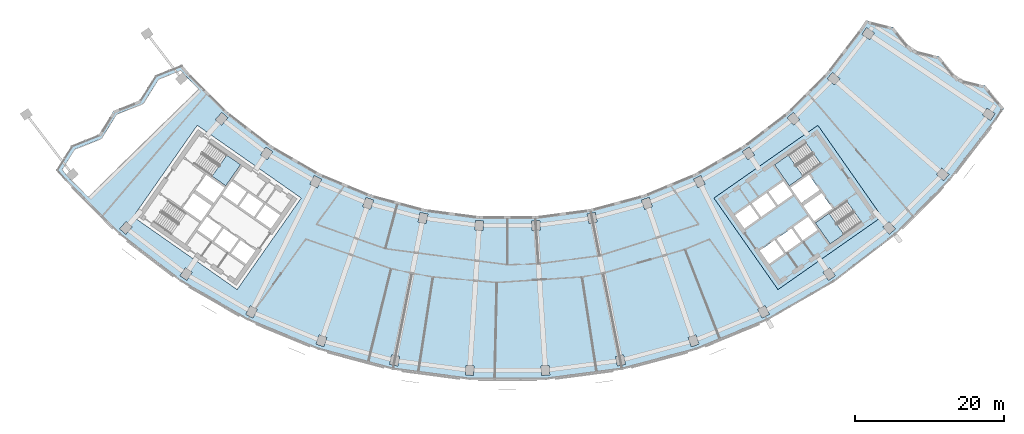
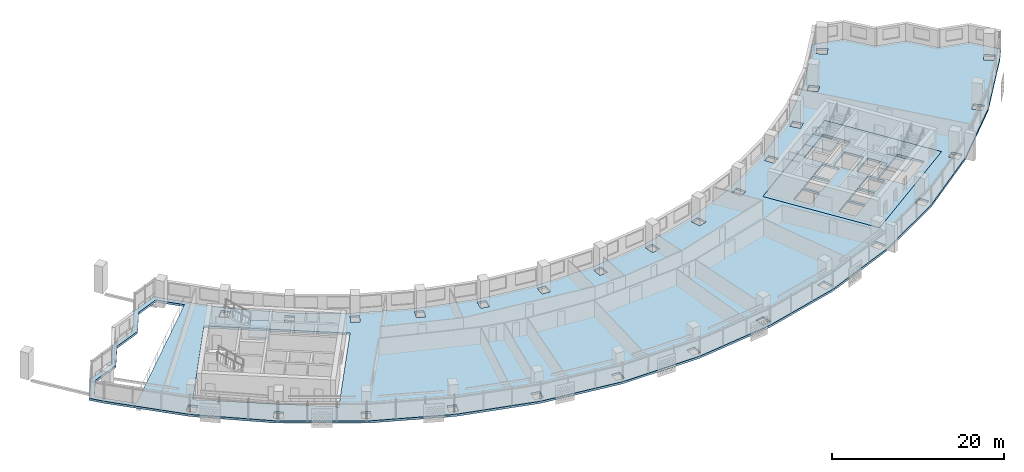
# One storey, part 2 of 27: 5 slabs, 3 elements without a shape of their own.
"""IFC4 building model written with IfcOpenShell, lengths in metres."""

from ifc_helpers import new_model, si_unit, direction, frame, origin, place, context, subcontext, project, spatial, polyline, outline, extrude, material, layer, layer_set, type_object, element, aggregate, save


model = new_model("IFC4")

# Units and contexts
model_context = context("Model", 3, precision=1e-05, world=origin(), true_north=direction((0.0, 1.0)))
body_context = subcontext(model_context, "Body", "Model", "MODEL_VIEW")
ifc_project = project(units=[si_unit("LENGTHUNIT", "METRE"), si_unit("AREAUNIT", "SQUARE_METRE"), si_unit("VOLUMEUNIT", "CUBIC_METRE"), si_unit("PLANEANGLEUNIT", "RADIAN"), si_unit("MASSUNIT", "GRAM", prefix="KILO")], contexts=[model_context])

# Site, building, storey
site_placement = place(None, origin())
site = spatial("IfcSite", under=ifc_project, at=site_placement, CompositionType="ELEMENT")
building_placement = place(site_placement, origin())
building = spatial("IfcBuilding", under=site, at=building_placement, Name="Qamariyya Broadcast Tower", CompositionType="ELEMENT")
storey_placement = place(building_placement, frame((0.0, 0.0, 153.10009765625)))
storey = spatial("IfcBuildingStorey", under=building, at=storey_placement, Name="L35", CompositionType="ELEMENT", Elevation=153.10009765625)

# Slabs
ifc_material_1 = material(Name="Concrete C40/50", Category="concrete")
ifc_layer_1 = layer(ifc_material_1, 0.300048828125)
ifc_layer_set_1 = layer_set([ifc_layer_1], Name="Core floor slab 300 mm Concrete C40/50")
slab_type_1 = type_object("IfcSlabType", Name="Core floor slab 300 mm Concrete C40/50", PredefinedType="FLOOR", material=ifc_layer_set_1)
slab_1_placement = place(storey_placement, frame((0.0, 0.0, -0.300048828125)))
element("IfcSlab", 1, at=slab_1_placement, inside=storey, type_object=slab_type_1, Name="k-E-L35-slab", PredefinedType="FLOOR", context=body_context, shape_type="SweptSolid", body=[
    extrude(outline(polyline([(36.32373046875, -66.734375), (50.286376953125, -56.95751953125), (41.6826171875, -44.67041015625), (27.719970703125, -54.447021484375), (36.32373046875, -66.734375)]), holes=[polyline([(31.80859375, -58.542724609375), (33.8154296875, -57.137451171875), (32.5537109375, -55.335205078125), (30.546630859375, -56.740478515625), (31.80859375, -58.542724609375)]), polyline([(34.061279296875, -56.96533203125), (36.068115234375, -55.56005859375), (34.806396484375, -53.758056640625), (32.79931640625, -55.163330078125), (34.061279296875, -56.96533203125)]), polyline([(36.31396484375, -55.387939453125), (38.32080078125, -53.982666015625), (37.058837890625, -52.1806640625), (35.052001953125, -53.5859375), (36.31396484375, -55.387939453125)]), polyline([(33.87353515625, -61.49169921875), (35.88037109375, -60.08642578125), (37.142333984375, -61.888427734375), (35.13525390625, -63.293701171875), (33.87353515625, -61.49169921875)]), polyline([(36.126220703125, -59.914306640625), (38.133056640625, -58.509033203125), (39.394775390625, -60.311279296875), (37.387939453125, -61.716552734375), (36.126220703125, -59.914306640625)]), polyline([(38.378662109375, -58.3369140625), (40.3857421875, -56.931640625), (41.6474609375, -58.73388671875), (39.640625, -60.13916015625), (38.378662109375, -58.3369140625)]), polyline([(39.742431640625, -55.489990234375), (42.199951171875, -53.769287109375), (43.6337890625, -55.817138671875), (41.17626953125, -57.537841796875), (39.742431640625, -55.489990234375)]), polyline([(39.45556640625, -55.080322265625), (41.9130859375, -53.359619140625), (40.47900390625, -51.311767578125), (38.021728515625, -53.032470703125), (39.45556640625, -55.080322265625)]), polyline([(40.082275390625, -47.01171875), (35.870849609375, -49.960693359375), (37.849609375, -52.78662109375), (42.06103515625, -49.837890625), (40.082275390625, -47.01171875)]), polyline([(45.559814453125, -54.834716796875), (41.348388671875, -57.783447265625), (43.3271484375, -60.609619140625), (47.538818359375, -57.66064453125), (45.559814453125, -54.834716796875)])]), origin(), (0.0, 0.0, 1.0), 0.300048828125),
])
ifc_layer_2 = layer(ifc_material_1, 0.300048828125)
ifc_layer_set_2 = layer_set([ifc_layer_2], Name="Post-tensioned floor slab 300 C40/50")
slab_type_2 = type_object("IfcSlabType", Name="Post-tensioned floor slab 300 C40/50", PredefinedType="FLOOR", material=ifc_layer_set_2)
slab_2_placement = place(storey_placement, frame((0.0, 0.0, -0.300048828125)))
element("IfcSlab", 2, at=slab_2_placement, inside=storey, type_object=slab_type_2, Name="Floor slab S4 L35", PredefinedType="FLOOR", context=body_context, shape_type="SweptSolid", body=[
    extrude(outline(polyline([(-58.535888671875, -47.419921875), (-60.585205078125, -50.699462890625), (-59.395263671875, -52.08837890625), (-52.08837890625, -59.395263671875), (-43.89013671875, -65.68603515625), (-34.94091796875, -70.85302734375), (-25.393798828125, -74.807373046875), (-15.412109375, -77.48193359375), (-5.166748046875, -78.830810546875), (5.166748046875, -78.830810546875), (15.412109375, -77.48193359375), (25.393798828125, -74.807373046875), (34.94091796875, -70.85302734375), (43.89013671875, -65.68603515625), (52.08837890625, -59.395263671875), (59.395263671875, -52.08837890625), (65.68603515625, -43.89013671875), (66.6845703125, -42.35791015625), (64.224609375, -39.373779296875), (60.494384765625, -38.42578125), (58.03369140625, -35.44140625), (54.30419921875, -34.493896484375), (51.842529296875, -31.5087890625), (48.114013671875, -30.56201171875), (47.393798828125, -31.66748046875), (42.85498046875, -37.582763671875), (37.582763671875, -42.85498046875), (31.66748046875, -47.393798828125), (25.21044921875, -51.121826171875), (18.322021484375, -53.97509765625), (11.1201171875, -55.90478515625), (3.72802734375, -56.8779296875), (-3.72802734375, -56.8779296875), (-11.1201171875, -55.90478515625), (-18.322021484375, -53.97509765625), (-25.21044921875, -51.121826171875), (-31.66748046875, -47.393798828125), (-37.582763671875, -42.85498046875), (-42.85498046875, -37.582763671875), (-43.71337890625, -36.58056640625), (-47.286376953125, -38.005859375), (-49.33740234375, -41.286865234375), (-52.9111328125, -42.713134765625), (-54.961181640625, -45.9931640625), (-58.535888671875, -47.419921875)]), holes=[polyline([(-5.676513671875, -78.1962890625), (-5.59130859375, -76.89892578125), (-4.49365234375, -76.970947265625), (-4.578857421875, -78.26806640625), (-5.676513671875, -78.1962890625)]), polyline([(-15.83447265625, -76.786376953125), (-15.580810546875, -75.51123046875), (-14.501953125, -75.725830078125), (-14.755615234375, -77.0009765625), (-15.83447265625, -76.786376953125)]), polyline([(-25.7216796875, -74.0625), (-25.3037109375, -72.83154296875), (-24.26220703125, -73.18505859375), (-24.679931640625, -74.416015625), (-25.7216796875, -74.0625)]), polyline([(-35.168701171875, -70.071533203125), (-34.59375, -68.905517578125), (-33.607177734375, -69.39208984375), (-34.18212890625, -70.55810546875), (-35.168701171875, -70.071533203125)]), polyline([(-44.013916015625, -64.881591796875), (-43.291748046875, -63.80078125), (-42.377197265625, -64.411865234375), (-43.099365234375, -65.49267578125), (-44.013916015625, -64.881591796875)]), polyline([(-52.106201171875, -58.58154296875), (-51.2490234375, -57.604248046875), (-50.422119140625, -58.32958984375), (-51.279296875, -59.306884765625), (-52.106201171875, -58.58154296875)]), polyline([(-4.401123046875, -58.738037109375), (-4.316162109375, -57.440673828125), (-3.218505859375, -57.5126953125), (-3.303466796875, -58.809814453125), (-4.401123046875, -58.738037109375)]), polyline([(-12.0302734375, -57.660888671875), (-11.776611328125, -56.385986328125), (-10.69775390625, -56.6005859375), (-10.951416015625, -57.87548828125), (-12.0302734375, -57.660888671875)]), polyline([(-50.286376953125, -56.95751953125), (-41.6826171875, -44.67041015625), (-27.719970703125, -54.447021484375), (-36.32373046875, -66.734375), (-50.286376953125, -56.95751953125)]), polyline([(-19.45361328125, -55.597412109375), (-19.03564453125, -54.366455078125), (-17.994140625, -54.719970703125), (-18.411865234375, -55.950927734375), (-19.45361328125, -55.597412109375)]), polyline([(-26.544189453125, -52.58251953125), (-25.968994140625, -51.41650390625), (-24.982666015625, -51.903076171875), (-25.5576171875, -53.069091796875), (-26.544189453125, -52.58251953125)]), polyline([(-59.306884765625, -51.279296875), (-59.302001953125, -51.27490234375), (-59.8427734375, -50.643798828125), (-58.131103515625, -47.904541015625), (-54.73876953125, -46.550537109375), (-54.681396484375, -46.52392578125), (-54.627197265625, -46.49169921875), (-54.576416015625, -46.45361328125), (-54.5302734375, -46.41064453125), (-54.48876953125, -46.363037109375), (-54.452392578125, -46.311279296875), (-52.50634765625, -43.197509765625), (-49.114990234375, -41.84423828125), (-49.0576171875, -41.817626953125), (-49.003173828125, -41.785400390625), (-48.95263671875, -41.747314453125), (-48.90625, -41.704345703125), (-48.86474609375, -41.65673828125), (-48.82861328125, -41.60498046875), (-46.881591796875, -38.490478515625), (-43.8896484375, -37.296875), (-43.310546875, -37.97314453125), (-43.279052734375, -38.007080078125), (-41.492919921875, -39.793212890625), (-56.321044921875, -54.31396484375), (-58.553466796875, -52.08154296875), (-58.58154296875, -52.106201171875), (-59.306884765625, -51.279296875)]), polyline([(-33.180419921875, -48.66796875), (-32.458251953125, -47.587158203125), (-31.54345703125, -48.1982421875), (-32.265869140625, -49.279052734375), (-33.180419921875, -48.66796875)]), polyline([(-39.2490234375, -43.920654296875), (-38.391845703125, -42.943359375), (-37.564697265625, -43.668701171875), (-38.421875, -44.64599609375), (-39.2490234375, -43.920654296875)]), polyline([(4.578857421875, -78.26806640625), (4.49365234375, -76.970947265625), (5.59130859375, -76.89892578125), (5.676513671875, -78.1962890625), (4.578857421875, -78.26806640625)]), polyline([(14.755615234375, -77.0009765625), (14.501953125, -75.725830078125), (15.580810546875, -75.51123046875), (15.83447265625, -76.786376953125), (14.755615234375, -77.0009765625)]), polyline([(24.679931640625, -74.416015625), (24.26220703125, -73.18505859375), (25.3037109375, -72.83154296875), (25.7216796875, -74.0625), (24.679931640625, -74.416015625)]), polyline([(34.18212890625, -70.55810546875), (33.607177734375, -69.39208984375), (34.59375, -68.905517578125), (35.168701171875, -70.071533203125), (34.18212890625, -70.55810546875)]), polyline([(43.099365234375, -65.49267578125), (42.377197265625, -64.411865234375), (43.291748046875, -63.80078125), (44.013916015625, -64.881591796875), (43.099365234375, -65.49267578125)]), polyline([(51.279296875, -59.306884765625), (50.422119140625, -58.32958984375), (51.2490234375, -57.604248046875), (52.106201171875, -58.58154296875), (51.279296875, -59.306884765625)]), polyline([(3.218505859375, -57.5126953125), (4.316162109375, -57.440673828125), (4.401123046875, -58.738037109375), (3.303466796875, -58.809814453125), (3.218505859375, -57.5126953125)]), polyline([(10.69775390625, -56.6005859375), (11.776611328125, -56.385986328125), (12.0302734375, -57.660888671875), (10.951416015625, -57.87548828125), (10.69775390625, -56.6005859375)]), polyline([(36.32373046875, -66.734375), (27.719970703125, -54.447021484375), (41.6826171875, -44.67041015625), (50.286376953125, -56.95751953125), (36.32373046875, -66.734375)]), polyline([(18.411865234375, -55.950927734375), (17.994140625, -54.719970703125), (19.03564453125, -54.366455078125), (19.45361328125, -55.597412109375), (18.411865234375, -55.950927734375)]), polyline([(25.5576171875, -53.069091796875), (24.982666015625, -51.903076171875), (25.968994140625, -51.41650390625), (26.544189453125, -52.58251953125), (25.5576171875, -53.069091796875)]), polyline([(58.58154296875, -52.106201171875), (57.604248046875, -51.2490234375), (58.32958984375, -50.422119140625), (59.306884765625, -51.279296875), (58.58154296875, -52.106201171875)]), polyline([(32.265869140625, -49.279052734375), (31.54345703125, -48.1982421875), (32.458251953125, -47.587158203125), (33.180419921875, -48.66796875), (32.265869140625, -49.279052734375)]), polyline([(38.421875, -44.64599609375), (37.564697265625, -43.668701171875), (38.391845703125, -42.943359375), (39.2490234375, -43.920654296875), (38.421875, -44.64599609375)]), polyline([(64.881591796875, -44.013916015625), (63.80078125, -43.291748046875), (64.411865234375, -42.377197265625), (65.49267578125, -43.099365234375), (64.881591796875, -44.013916015625)]), polyline([(42.943359375, -38.391845703125), (43.668701171875, -37.564697265625), (44.64599609375, -38.421875), (43.920654296875, -39.2490234375), (42.943359375, -38.391845703125)]), polyline([(47.587158203125, -32.458251953125), (48.1982421875, -31.54345703125), (49.279052734375, -32.265869140625), (48.66796875, -33.180419921875), (47.587158203125, -32.458251953125)])]), origin(), (0.0, 0.0, 1.0), 0.300048828125),
])

# Stair, slab
ifc_material_2 = material(Name="Concrete C50/60", Category="concrete")
stair_type = type_object("IfcStairType", Name="Exit stair 22 risers of 173 mm", PredefinedType="HALF_TURN_STAIR", material=ifc_material_2)
stair_1_placement = place(storey_placement, origin())
stair_1 = element("IfcStair", 3, at=stair_1_placement, inside=storey, type_object=stair_type, Name="L35 Stair W2", PredefinedType="HALF_TURN_STAIR")
ifc_layer_3 = layer(ifc_material_2, 0.199951171875)
ifc_layer_set_3 = layer_set([ifc_layer_3], Name="Stair landing")
slab_type_3 = type_object("IfcSlabType", Name="Stair landing", PredefinedType="LANDING", material=ifc_layer_set_3)
slab_3_placement = place(storey_placement, frame((0.0, 0.0, 1.699951171875)))
slab_3 = element("IfcSlab", 4, at=slab_3_placement, type_object=slab_type_3, Name="ST-W2 landing 1", PredefinedType="LANDING", context=body_context, shape_type="SweptSolid", body=[
    extrude(outline(polyline([(-39.692138671875, -51.49658203125), (-37.849609375, -52.78662109375), (-35.870849609375, -49.960693359375), (-37.71337890625, -48.67041015625), (-39.692138671875, -51.49658203125)])), origin(), (0.0, 0.0, 1.0), 0.199951171875),
])
aggregate(stair_1, [slab_3])

stair_2_placement = place(storey_placement, origin())
stair_2 = element("IfcStair", 5, at=stair_2_placement, inside=storey, type_object=stair_type, Name="L35 Stair E2", PredefinedType="HALF_TURN_STAIR")
slab_4_placement = place(storey_placement, frame((0.0, 0.0, 1.699951171875)))
slab_4 = element("IfcSlab", 6, at=slab_4_placement, type_object=slab_type_3, Name="ST-E2 landing 1", PredefinedType="LANDING", context=body_context, shape_type="SweptSolid", body=[
    extrude(outline(polyline([(37.71337890625, -48.67041015625), (35.870849609375, -49.960693359375), (37.849609375, -52.78662109375), (39.692138671875, -51.49658203125), (37.71337890625, -48.67041015625)])), origin(), (0.0, 0.0, 1.0), 0.199951171875),
])
aggregate(stair_2, [slab_4])

stair_3_placement = place(storey_placement, origin())
stair_3 = element("IfcStair", 7, at=stair_3_placement, inside=storey, type_object=stair_type, Name="L35 Stair E1", PredefinedType="HALF_TURN_STAIR")
slab_5_placement = place(storey_placement, frame((0.0, 0.0, 1.699951171875)))
slab_5 = element("IfcSlab", 8, at=slab_5_placement, type_object=slab_type_3, Name="ST-E1 landing 1", PredefinedType="LANDING", context=body_context, shape_type="SweptSolid", body=[
    extrude(outline(polyline([(43.19091796875, -56.493408203125), (41.348388671875, -57.783447265625), (43.3271484375, -60.609619140625), (45.169677734375, -59.319580078125), (43.19091796875, -56.493408203125)])), origin(), (0.0, 0.0, 1.0), 0.199951171875),
])
aggregate(stair_3, [slab_5])

save(model, "model.ifc")
